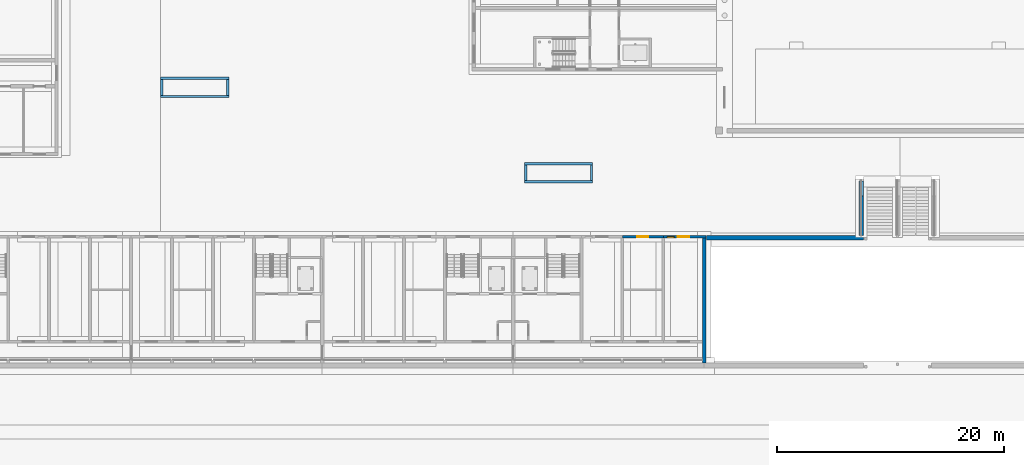
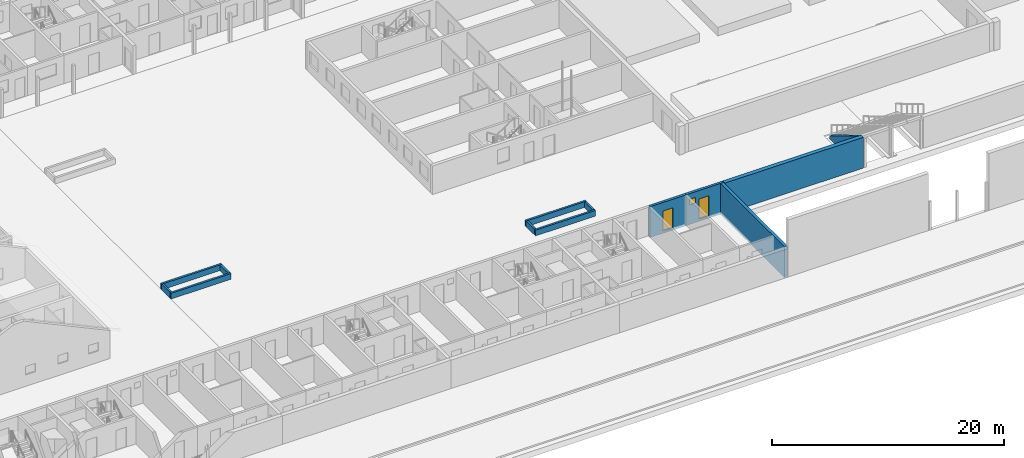
# One storey, part 44 of 112: 13 walls, 2 doors, 1 window, 3 openings.
"""IFC4 building model written with IfcOpenShell, lengths in metres."""

from ifc_helpers import new_model, si_unit, direction, frame, frame_2d, origin, place, context, subcontext, project, spatial, polyline, rectangle, outline, extrude, material, layer, layer_set, type_object, element, fill, save


model = new_model("IFC4")

# Units and contexts
model_context = context("Model", 3, precision=1e-05, world=origin(), true_north=direction((0.0, 1.0)))
body_context = subcontext(model_context, "Body", "Model", "MODEL_VIEW")
ifc_project = project(units=[si_unit("LENGTHUNIT", "METRE"), si_unit("AREAUNIT", "SQUARE_METRE"), si_unit("VOLUMEUNIT", "CUBIC_METRE"), si_unit("PLANEANGLEUNIT", "RADIAN"), si_unit("MASSUNIT", "GRAM", prefix="KILO")], contexts=[model_context])

# Site, building, storey
site_placement = place(None, origin())
site = spatial("IfcSite", under=ifc_project, at=site_placement, CompositionType="ELEMENT")
building_placement = place(site_placement, origin())
building = spatial("IfcBuilding", under=site, at=building_placement, Name="Ridgestep Commons", CompositionType="ELEMENT")
storey_placement = place(building_placement, origin())
storey = spatial("IfcBuildingStorey", under=building, at=storey_placement, Name="L00", CompositionType="ELEMENT", Elevation=0.0)

# Walls
ifc_material_1 = material(Name="Concrete C30/37", Category="concrete")
ifc_layer_1 = layer(ifc_material_1, 0.199951171875)
ifc_layer_set_1 = layer_set([ifc_layer_1], Name="Community planter wall 200")
wall_type_1 = type_object("IfcWallType", Name="Community planter wall 200", PredefinedType="SOLIDWALL", material=ifc_layer_set_1)
for number, where, z_axis, x_axis, name in (
    (1, (65.0, 35.199951171875, 0.0), (0.0, 0.0, 1.0), (1.0, 0.0, 0.0), "Planter wall"),
    (2, (65.0, 36.800048828125, 0.0), (0.0, 0.0, 1.0), (1.0, 0.0, 0.0), "Planter wall"),
):
    element("IfcWall", number, at=place(storey_placement, frame(where, z_axis=z_axis, x_axis=x_axis)), inside=storey, type_object=wall_type_1, Name=name, PredefinedType="SOLIDWALL", context=body_context, shape_type="SweptSolid", body=[
        extrude(rectangle(XDim=6.0, YDim=0.199951171875, at=frame_2d((3.0, 0.0))), origin(), (0.0, 0.0, 1.0), 0.60009765625),
    ])
for number, where, z_axis, x_axis, name in (
    (3, (65.10009765625, 35.300048828125, 0.0), (0.0, 0.0, 1.0), (0.0, 1.0, 0.0), "Planter wall"),
    (4, (70.89990234375, 35.300048828125, 0.0), (0.0, 0.0, 1.0), (0.0, 1.0, 0.0), "Planter wall"),
):
    element("IfcWall", number, at=place(storey_placement, frame(where, z_axis=z_axis, x_axis=x_axis)), inside=storey, type_object=wall_type_1, Name=name, PredefinedType="SOLIDWALL", context=body_context, shape_type="SweptSolid", body=[
        extrude(rectangle(XDim=1.39990234375, YDim=0.199951171875, at=frame_2d((0.699951171875, 0.0))), origin(), (0.0, 0.0, 1.0), 0.60009765625),
    ])
for number, where, z_axis, x_axis, name in (
    (5, (97.0, 27.699951171875, 0.0), (0.0, 0.0, 1.0), (1.0, 0.0, 0.0), "Planter wall"),
    (6, (97.0, 29.300048828125, 0.0), (0.0, 0.0, 1.0), (1.0, 0.0, 0.0), "Planter wall"),
):
    element("IfcWall", number, at=place(storey_placement, frame(where, z_axis=z_axis, x_axis=x_axis)), inside=storey, type_object=wall_type_1, Name=name, PredefinedType="SOLIDWALL", context=body_context, shape_type="SweptSolid", body=[
        extrude(rectangle(XDim=6.0, YDim=0.199951171875, at=frame_2d((3.0, 0.0))), origin(), (0.0, 0.0, 1.0), 0.60009765625),
    ])
for number, where, z_axis, x_axis, name in (
    (7, (97.10009765625, 27.800048828125, 0.0), (0.0, 0.0, 1.0), (0.0, 1.0, 0.0), "Planter wall"),
    (8, (102.89990234375, 27.800048828125, 0.0), (0.0, 0.0, 1.0), (0.0, 1.0, 0.0), "Planter wall"),
):
    element("IfcWall", number, at=place(storey_placement, frame(where, z_axis=z_axis, x_axis=x_axis)), inside=storey, type_object=wall_type_1, Name=name, PredefinedType="SOLIDWALL", context=body_context, shape_type="SweptSolid", body=[
        extrude(rectangle(XDim=1.39990234375, YDim=0.199951171875, at=frame_2d((0.699951171875, 0.0))), origin(), (0.0, 0.0, 1.0), 0.60009765625),
    ])
ifc_material_2 = material(Name="Concrete C30/37", Category="concrete")
ifc_layer_2 = layer(ifc_material_2, 0.39990234375)
ifc_layer_set_2 = layer_set([ifc_layer_2], Name="Community retaining wall 400")
wall_type_2 = type_object("IfcWallType", Name="Community retaining wall 400", PredefinedType="SOLIDWALL", material=ifc_layer_set_2)
wall_1_placement = place(storey_placement, frame((113.0, 22.800048828125, -0.25), z_axis=(0.0, 0.0, 1.0), x_axis=(1.0, 0.0, 0.0)))
element("IfcWall", 9, at=wall_1_placement, inside=storey, type_object=wall_type_2, Name="Community retaining wall 400", PredefinedType="SOLIDWALL", context=body_context, shape_type="SweptSolid", body=[
    extrude(rectangle(XDim=13.800048828125, YDim=0.39990234375, at=frame_2d((6.89990234375, 0.0))), origin(), (0.0, 0.0, 1.0), 3.25),
])
wall_2_placement = place(storey_placement, frame((126.60009765625, 23.0, -0.14990234375), z_axis=(0.0, 0.0, 1.0), x_axis=(0.0, 1.0, 0.0)))
element("IfcWall", 10, at=wall_2_placement, inside=storey, type_object=wall_type_2, Name="Stair cheek wall", PredefinedType="SOLIDWALL", context=body_context, shape_type="SweptSolid", body=[
    extrude(outline(polyline([(0.0, 0.0), (4.760009765625, 0.0), (4.760009765625, 0.316650390625), (0.0, 3.14990234375), (0.0, 0.0)])), frame((0.0, 0.199951171875, 0.0), z_axis=(0.0, -1.0, 0.0), x_axis=(1.0, 0.0, 0.0)), (0.0, 0.0, 1.0), 0.39990234375),
])
ifc_material_3 = material(Name="Precast concrete C40/50", Category="concrete")
ifc_layer_3 = layer(ifc_material_3, 0.300048828125)
ifc_layer_set_3 = layer_set([ifc_layer_3], Name="Exposed division wall 300")
wall_type_3 = type_object("IfcWallType", Name="Exposed division wall 300", PredefinedType="SHEAR", material=ifc_layer_set_3)
wall_3_placement = place(storey_placement, frame((112.800048828125, 11.75, -0.25), z_axis=(0.0, 0.0, 1.0), x_axis=(0.0, 1.0, 0.0)))
element("IfcWall", 11, at=wall_3_placement, inside=storey, type_object=wall_type_3, Name="Cross wall A-00-1128", PredefinedType="SHEAR", context=body_context, shape_type="SweptSolid", body=[
    extrude(rectangle(XDim=11.0, YDim=0.300048828125, at=frame_2d((5.5, 0.0))), origin(), (0.0, 0.0, 1.0), 3.25),
])

# Wall, opening, door
ifc_material_4 = material(Name="Precast concrete C40/50", Category="concrete")
ifc_layer_4 = layer(ifc_material_4, 0.25)
ifc_layer_set_4 = layer_set([ifc_layer_4], Name="North facade panel 250")
wall_type_4 = type_object("IfcWallType", Name="North facade panel 250", PredefinedType="SOLIDWALL", material=ifc_layer_set_4)
wall_4_placement = place(storey_placement, frame((105.60009765625, 22.875, -0.25), z_axis=(0.0, 0.0, 1.0), x_axis=(1.0, 0.0, 0.0)))
wall_4 = element("IfcWall", 12, at=wall_4_placement, inside=storey, type_object=wall_type_4, Name="North panel A6T2 L00", PredefinedType="SOLIDWALL", context=body_context, shape_type="SweptSolid", body=[
    extrude(rectangle(XDim=3.599853515625, YDim=0.25, at=frame_2d((1.7998046875, 0.0))), origin(), (0.0, 0.0, 1.0), 3.25),
])
opening_1_placement = place(wall_4_placement, frame((1.300048828125, 0.0, 0.25)))
opening_1 = element("IfcOpeningElement", 13, at=opening_1_placement, cuts=wall_4, Name="Opening A6-00p/4", PredefinedType="OPENING", context=body_context, shape_type="SweptSolid", body=[
    extrude(rectangle(XDim=1.0, YDim=2.10009765625, at=frame_2d((0.5, 1.050048828125))), frame((0.0, 0.135009765625, 0.0), z_axis=(0.0, -1.0, 0.0), x_axis=(1.0, 0.0, 0.0)), (0.0, 0.0, 1.0), 0.27001953125),
])
ifc_material_5 = material(Name="Steel door leaf", Category="steel")
door_type = type_object("IfcDoorType", Name="Exterior door 1000 x 2100", OperationType="NOTDEFINED", PredefinedType="DOOR", material=ifc_material_5)
door_1_placement = place(opening_1_placement, origin())
door_1 = element("IfcDoor", 14, at=door_1_placement, inside=storey, type_object=door_type, Name="Exterior door A6-00p/4", OperationType="SINGLE_SWING_LEFT", OverallHeight=2.10009765625, OverallWidth=1.0, PredefinedType="DOOR", context=body_context, shape_type="SweptSolid", body=[
    extrude(rectangle(XDim=1.0, YDim=2.10009765625, at=frame_2d((0.5, 1.050048828125))), frame((0.0, 0.02490234375, 0.0), z_axis=(0.0, -1.0, 0.0), x_axis=(1.0, 0.0, 0.0)), (0.0, 0.0, 1.0), 0.050048828125),
])
fill(opening_1, door_1)

# Wall, openings, door, window
wall_5_placement = place(storey_placement, frame((109.199951171875, 22.875, -0.25), z_axis=(0.0, 0.0, 1.0), x_axis=(1.0, 0.0, 0.0)))
wall_5 = element("IfcWall", 15, at=wall_5_placement, inside=storey, type_object=wall_type_4, Name="North panel A6T1 L00", PredefinedType="SOLIDWALL", context=body_context, shape_type="SweptSolid", body=[
    extrude(rectangle(XDim=3.75, YDim=0.25, at=frame_2d((1.875, 0.0))), origin(), (0.0, 0.0, 1.0), 3.25),
])
opening_2_placement = place(wall_5_placement, frame((0.356201171875, 0.0, 2.050048828125)))
opening_2 = element("IfcOpeningElement", 16, at=opening_2_placement, cuts=wall_5, Name="Opening W01", PredefinedType="OPENING", context=body_context, shape_type="SweptSolid", body=[
    extrude(rectangle(XDim=0.60009765625, YDim=0.60009765625, at=frame_2d((0.300048828125, 0.300048828125))), frame((0.0, 0.135009765625, 0.0), z_axis=(0.0, -1.0, 0.0), x_axis=(1.0, 0.0, 0.0)), (0.0, 0.0, 1.0), 0.27001953125),
])
opening_3_placement = place(wall_5_placement, frame((1.28759765625, 0.0, 0.25)))
opening_3 = element("IfcOpeningElement", 17, at=opening_3_placement, cuts=wall_5, Name="Opening A6-00p/6", PredefinedType="OPENING", context=body_context, shape_type="SweptSolid", body=[
    extrude(rectangle(XDim=1.0, YDim=2.10009765625, at=frame_2d((0.5, 1.050048828125))), frame((0.0, 0.135009765625, 0.0), z_axis=(0.0, -1.0, 0.0), x_axis=(1.0, 0.0, 0.0)), (0.0, 0.0, 1.0), 0.27001953125),
])
door_2_placement = place(opening_3_placement, origin())
door_2 = element("IfcDoor", 18, at=door_2_placement, inside=storey, type_object=door_type, Name="Exterior door A6-00p/6", OperationType="SINGLE_SWING_LEFT", OverallHeight=2.10009765625, OverallWidth=1.0, PredefinedType="DOOR", context=body_context, shape_type="SweptSolid", body=[
    extrude(rectangle(XDim=1.0, YDim=2.10009765625, at=frame_2d((0.5, 1.050048828125))), frame((0.0, 0.02490234375, 0.0), z_axis=(0.0, -1.0, 0.0), x_axis=(1.0, 0.0, 0.0)), (0.0, 0.0, 1.0), 0.050048828125),
])
fill(opening_3, door_2)
ifc_material_6 = material(Name="Aluminium 6063-T6 and glass", Category="aluminium")
window_type = type_object("IfcWindowType", Name="Flat window 600 x 600", PartitioningType="SINGLE_PANEL", PredefinedType="WINDOW", material=ifc_material_6)
window_placement = place(opening_2_placement, origin())
window = element("IfcWindow", 19, at=window_placement, inside=storey, type_object=window_type, Name="Window A6-00p 4", OverallHeight=0.60009765625, OverallWidth=0.60009765625, PartitioningType="SINGLE_PANEL", PredefinedType="WINDOW", context=body_context, shape_type="SweptSolid", body=[
    extrude(rectangle(XDim=0.60009765625, YDim=0.60009765625, at=frame_2d((0.300048828125, 0.300048828125))), frame((0.0, -0.02490234375, 0.0), z_axis=(0.0, -1.0, 0.0), x_axis=(1.0, 0.0, 0.0)), (0.0, 0.0, 1.0), 0.06005859375),
])
fill(opening_2, window)

save(model, "model.ifc")
